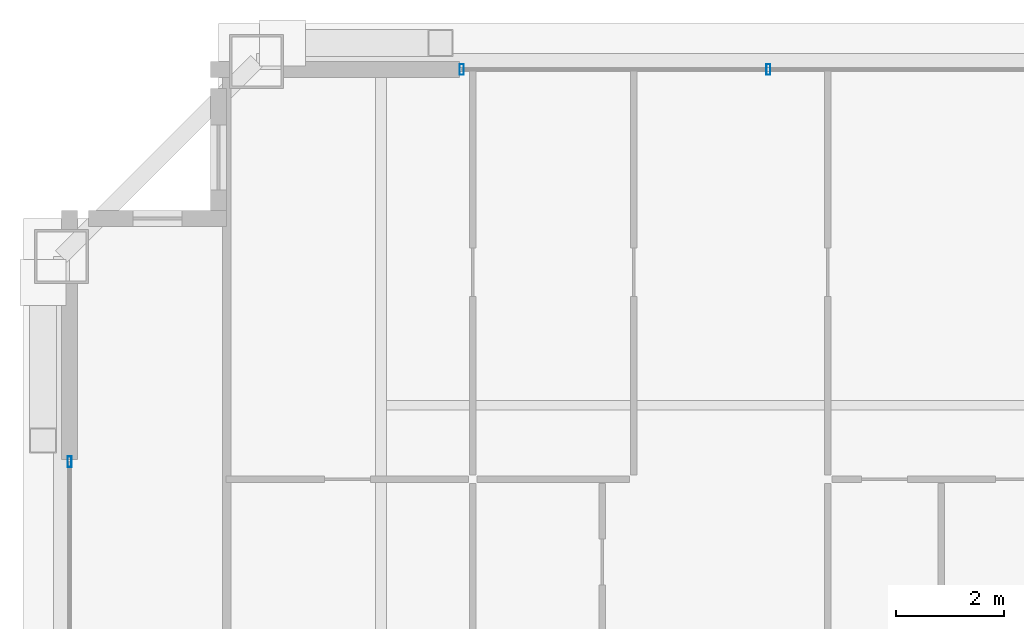
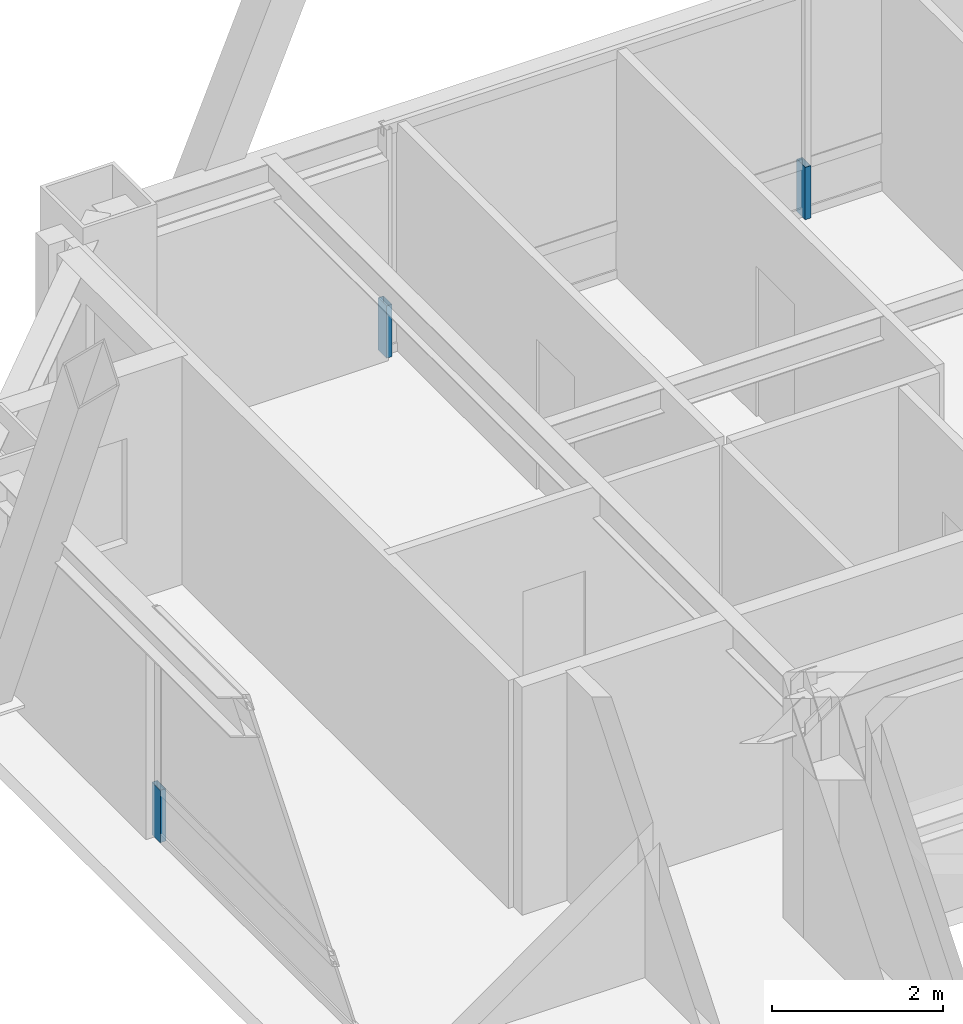
# One storey, part 26 of 35: 3 members, 2 elements without a shape of their own.
"""IFC4 building model written with IfcOpenShell, lengths in metres."""

import ifcopenshell
import ifcopenshell.guid

model = None  # the IFC model being written
_history = None  # IfcOwnerHistory: only IFC2X3 demands one
_inside = {}  # id of a spatial element -> (the spatial element, [elements in it])
_under = {}  # id of a project, library or spatial element -> (it, [spatial elements below it])
_declared = {}  # id of a project -> (the project, [libraries it declares])
_typed = {}  # id of a type object -> (the type object, [elements of that type])
_made_of = {}  # id of a material, layer set ... -> (it, [elements and type objects made of it])


def new_model(schema):
    """Start an empty IFC model of exactly this schema.

    Asked for "IFC4X3", IfcOpenShell would pick the latest addendum, in which some entities
    have other attributes; the version numbers below select the first issue.
    IFC2X3 requires an IfcOwnerHistory on every rooted entity: one is made here for all.
    """
    global model, _history
    if schema == "IFC4X3":
        model = ifcopenshell.file(schema_version=(4, 3, 0, 0))
    else:
        model = ifcopenshell.file(schema=schema)
    _inside.clear()
    _under.clear()
    _declared.clear()
    _typed.clear()
    _made_of.clear()
    _history = None
    if model.schema == "IFC2X3":
        org = make("IfcOrganization", Name="unknown")
        user = make(
            "IfcPersonAndOrganization",
            ThePerson=make("IfcPerson", FamilyName="unknown"),
            TheOrganization=org,
        )
        app = make(
            "IfcApplication",
            ApplicationDeveloper=org,
            Version="unknown",
            ApplicationFullName="unknown",
            ApplicationIdentifier="unknown",
        )
        _history = make(
            "IfcOwnerHistory",
            OwningUser=user,
            OwningApplication=app,
            ChangeAction="ADDED",
            CreationDate=0,
        )
    return model


def make(cls, **values):
    """One entity of the class cls with the attributes given. An attribute that is None is left unset."""
    return model.create_entity(
        cls, **{name: value for name, value in values.items() if value is not None}
    )


def rooted(cls, **values):
    """An entity with a GlobalId (a new one), such as an element, a storey or a relation."""
    return make(cls, GlobalId=ifcopenshell.guid.new(), OwnerHistory=_history, **values)


def si_unit(unit_type, name, prefix=None):
    """IfcSIUnit, for example si_unit("LENGTHUNIT", "METRE", prefix="MILLI")."""
    return make("IfcSIUnit", UnitType=unit_type, Prefix=prefix, Name=name)


def assignment(units):
    """IfcUnitAssignment: the units of a project."""
    return None if units is None else make("IfcUnitAssignment", Units=units)


def point(xyz):
    """IfcCartesianPoint."""
    return None if xyz is None else make("IfcCartesianPoint", Coordinates=xyz)


def direction(xyz):
    """IfcDirection."""
    return None if xyz is None else make("IfcDirection", DirectionRatios=xyz)


def frame(location, z_axis=None, x_axis=None):
    """IfcAxis2Placement3D, a coordinate frame: its origin and axes. An axis left out is left unset."""
    return make(
        "IfcAxis2Placement3D",
        Location=point(location),
        Axis=direction(z_axis),
        RefDirection=direction(x_axis),
    )


def frame_2d(location, x_axis=None):
    """IfcAxis2Placement2D, a coordinate frame in the plane: its origin and x axis."""
    return make(
        "IfcAxis2Placement2D", Location=point(location), RefDirection=direction(x_axis)
    )


def origin():
    """The frame at (0, 0, 0) with its axes left unset."""
    return frame((0.0, 0.0, 0.0))


def origin_2d():
    """The frame at (0, 0) in the plane with its x axis left unset."""
    return frame_2d((0.0, 0.0))


def place(relative_to, where):
    """IfcLocalPlacement: puts the frame where relative to a parent placement (None: the world)."""
    return make(
        "IfcLocalPlacement", PlacementRelTo=relative_to, RelativePlacement=where
    )


def context(
    kind, dimensions, precision=None, world=None, true_north=None, identifier=None
):
    """IfcGeometricRepresentationContext, for example the 3D "Model" context."""
    return make(
        "IfcGeometricRepresentationContext",
        ContextIdentifier=identifier,
        ContextType=kind,
        CoordinateSpaceDimension=dimensions,
        Precision=precision,
        WorldCoordinateSystem=world,
        TrueNorth=true_north,
    )


def subcontext(parent, identifier, kind, view, scale=None):
    """IfcGeometricRepresentationSubContext, for example "Body" below "Model"."""
    return make(
        "IfcGeometricRepresentationSubContext",
        ContextIdentifier=identifier,
        ContextType=kind,
        ParentContext=parent,
        TargetScale=scale,
        TargetView=view,
    )


def project(units=None, contexts=None):
    """IfcProject with its units and contexts."""
    return rooted(
        "IfcProject",
        Name="project",
        RepresentationContexts=contexts,
        UnitsInContext=assignment(units),
    )


def spatial(cls, under=None, at=None, **own):
    """A site, building, storey or space (cls), placed at a placement, below another one or the project."""
    s = rooted(cls, ObjectPlacement=at, **own)
    if under is not None:
        _under.setdefault(under.id(), (under, []))[1].append(s)
    return s


def profile(cls, at=None, kind="AREA", **sizes):
    """A parametric profile (cls). Its sizes go by their IFC names, for example OverallWidth=200.0."""
    return make(cls, ProfileType=kind, Position=at, **sizes)


def hollow_rectangle(**sizes):
    """IfcRectangleHollowProfileDef."""
    return profile("IfcRectangleHollowProfileDef", **sizes)


def extrude(swept, where, along, depth):
    """IfcExtrudedAreaSolid: the profile swept, set in the frame where, extruded along a direction by depth."""
    return make(
        "IfcExtrudedAreaSolid",
        SweptArea=swept,
        Position=where,
        ExtrudedDirection=direction(along),
        Depth=depth,
    )


def shape(context_of_items, identifier, shape_type, items):
    """IfcShapeRepresentation: the items that make up one representation, for example the "Body"."""
    return make(
        "IfcShapeRepresentation",
        ContextOfItems=context_of_items,
        RepresentationIdentifier=identifier,
        RepresentationType=shape_type,
        Items=items,
    )


def source(mapping_origin, context_of_items, identifier, shape_type, items):
    """IfcRepresentationMap: a shape defined once, which mapped items show again and again."""
    return make(
        "IfcRepresentationMap",
        MappingOrigin=mapping_origin,
        MappedRepresentation=shape(context_of_items, identifier, shape_type, items),
    )


def transform(
    local_origin,
    x_axis=None,
    y_axis=None,
    z_axis=None,
    scale=None,
    scale2=None,
    scale3=None,
    uniform=True,
):
    """IfcCartesianTransformationOperator3D, or its non-uniform kind. x_axis, y_axis, z_axis: its Axis1, 2, 3."""
    if uniform:
        return make(
            "IfcCartesianTransformationOperator3D",
            Axis1=direction(x_axis),
            Axis2=direction(y_axis),
            LocalOrigin=point(local_origin),
            Scale=scale,
            Axis3=direction(z_axis),
        )
    return make(
        "IfcCartesianTransformationOperator3DnonUniform",
        Axis1=direction(x_axis),
        Axis2=direction(y_axis),
        LocalOrigin=point(local_origin),
        Scale=scale,
        Axis3=direction(z_axis),
        Scale2=scale2,
        Scale3=scale3,
    )


def mapped(mapping_source, mapping_target):
    """IfcMappedItem: shows the shape of a source again, moved by a transform."""
    return make(
        "IfcMappedItem", MappingSource=mapping_source, MappingTarget=mapping_target
    )


def material(Name=None, Category=None):
    """IfcMaterial."""
    return make("IfcMaterial", Name=Name, Category=Category)


def layer(
    of_material, thickness, ventilated=None, Name=None, Category=None, Priority=None
):
    """IfcMaterialLayer: one layer of a wall or slab, of a material (None: an air gap)."""
    return make(
        "IfcMaterialLayer",
        Material=of_material,
        LayerThickness=thickness,
        IsVentilated=ventilated,
        Name=Name,
        Category=Category,
        Priority=Priority,
    )


def layer_set(layers, Name=None):
    """IfcMaterialLayerSet."""
    return make("IfcMaterialLayerSet", MaterialLayers=layers, LayerSetName=Name)


def material_profile(
    of_material, cross_section, Name=None, Category=None, Priority=None
):
    """IfcMaterialProfile: a cross section and its material."""
    return make(
        "IfcMaterialProfile",
        Name=Name,
        Material=of_material,
        Profile=cross_section,
        Priority=Priority,
        Category=Category,
    )


def profile_set(profiles, Name=None, composite=None):
    """IfcMaterialProfileSet."""
    return make(
        "IfcMaterialProfileSet",
        Name=Name,
        MaterialProfiles=profiles,
        CompositeProfile=composite,
    )


def made_of(thing, what):
    """Note that an element or type object is made of a material, layer set ...; save() writes the relation."""
    if what is not None:
        _made_of.setdefault(what.id(), (what, []))[1].append(thing)
    return thing


def type_object(cls, material=None, **own):
    """A type object (cls), such as IfcWallType, which elements share."""
    return made_of(rooted(cls, **own), material)


def element(
    cls,
    number,
    at=None,
    inside=None,
    cuts=None,
    type_object=None,
    material=None,
    context=None,
    identifier="Body",
    shape_type=None,
    held_by="IfcProductDefinitionShape",
    body=None,
    shapes=None,
    **own,
):
    """One element of the class cls, such as IfcWall. Its Tag is "e" and its number.

    at: its placement. inside: the storey or other place that contains it. cuts: it is an
    opening in that element (IfcRelVoidsElement). A single representation is given by context,
    identifier, shape_type and body (its items); several are given by shapes. held_by: the class
    of the entity that holds the representations. save() writes the other relations.
    """
    e = rooted(cls, Tag="e%d" % number, ObjectPlacement=at, **own)
    if body is not None:
        shapes = [shape(context, identifier, shape_type, body)]
    if shapes is not None:
        e.Representation = make(held_by, Representations=shapes)
    if inside is not None:
        _inside.setdefault(inside.id(), (inside, []))[1].append(e)
    if cuts is not None:
        rooted(
            "IfcRelVoidsElement", RelatingBuildingElement=cuts, RelatedOpeningElement=e
        )
    if type_object is not None:
        _typed.setdefault(type_object.id(), (type_object, []))[1].append(e)
    return made_of(e, material)


def aggregate(whole, parts):
    """IfcRelAggregates: a whole, such as a stair, and the parts it consists of."""
    return rooted("IfcRelAggregates", RelatingObject=whole, RelatedObjects=parts)


def save(model, path):
    """Write the relations noted so far, then the file.

    IfcRelAggregates (storeys below a building ...), IfcRelContainedInSpatialStructure (elements
    in a storey), IfcRelDefinesByType, IfcRelAssociatesMaterial and IfcRelDeclares: one each for
    every whole, place, type object, material and project.
    """
    for whole, parts in _under.values():
        aggregate(whole, parts)
    for where, things in _inside.values():
        rooted(
            "IfcRelContainedInSpatialStructure",
            RelatedElements=things,
            RelatingStructure=where,
        )
    for kind, things in _typed.values():
        rooted("IfcRelDefinesByType", RelatedObjects=things, RelatingType=kind)
    for what, things in _made_of.values():
        rooted("IfcRelAssociatesMaterial", RelatedObjects=things, RelatingMaterial=what)
    for by, libraries in _declared.values():
        rooted("IfcRelDeclares", RelatingContext=by, RelatedDefinitions=libraries)
    model.write(path)


model = new_model("IFC4")

# Units and contexts
model_context = context("Model", 3, precision=1e-05, world=origin(), true_north=direction((0.0, 1.0)))
body_context = subcontext(model_context, "Body", "Model", "MODEL_VIEW")
ifc_project = project(units=[si_unit("LENGTHUNIT", "METRE"), si_unit("AREAUNIT", "SQUARE_METRE"), si_unit("VOLUMEUNIT", "CUBIC_METRE"), si_unit("PLANEANGLEUNIT", "RADIAN"), si_unit("MASSUNIT", "GRAM", prefix="KILO"), si_unit("THERMODYNAMICTEMPERATUREUNIT", "KELVIN"), si_unit("POWERUNIT", "WATT")], contexts=[model_context])

# Site, building, storey
site_placement = place(None, origin())
site = spatial("IfcSite", under=ifc_project, at=site_placement, CompositionType="ELEMENT")
building_placement = place(site_placement, origin())
building = spatial("IfcBuilding", under=site, at=building_placement, Name="Yuzanri Waterfront Tower", CompositionType="ELEMENT")
storey_placement = place(building_placement, frame((0.0, 0.0, 335.699951171875)))
storey = spatial("IfcBuildingStorey", under=building, at=storey_placement, Name="L90", CompositionType="ELEMENT", Elevation=335.699951171875)

# Curtain wall, members
ifc_material_1 = material(Name="Anodized Architectural Bronze", Category="metal")
ifc_layer = layer(ifc_material_1, 0.159912109375)
ifc_layer_set = layer_set([ifc_layer], Name="Anodized Architectural Bronze")
curtain_wall_type = type_object("IfcCurtainWallType", Name="Anodized Bronze High-Rise Penthouse High-Wind Unitized Curtain Wall 6900", PredefinedType="NOTDEFINED", material=ifc_layer_set)
curtain_wall_1_placement = place(storey_placement, origin())
curtain_wall_1 = element("IfcCurtainWall", 1, at=curtain_wall_1_placement, inside=storey, type_object=curtain_wall_type, Name="L90 Curtain Wall CW-L90-NL", PredefinedType="NOTDEFINED")
ifc_material_2 = material(Name="Anodized Architectural Bronze", Category="metal")
ifc_material_profile = material_profile(ifc_material_2, hollow_rectangle(XDim=0.074951171875, YDim=0.199951171875, WallThickness=0.00390625, at=origin_2d()), Name="CWM 75x200")
ifc_profile_set = profile_set([ifc_material_profile], Name="Anodized Architectural Bronze")
member_type = type_object("IfcMemberType", Name="Anodized Bronze Primary Curtain-Wall Mullion 75x200", PredefinedType="MULLION", material=ifc_profile_set)
shared_shape = source(origin(), body_context, "Body", "SweptSolid", [
    extrude(hollow_rectangle(XDim=0.074951171875, YDim=0.199951171875, WallThickness=0.00390625, at=origin_2d()), origin(), (0.0, 0.0, 1.0), 0.748046875),
])
member_1_placement = place(storey_placement, frame((25.2900390625, 44.75, 0.0), z_axis=(0.0, 0.0, 1.0), x_axis=(1.0, 0.0, 0.0)))
member_1 = element("IfcMember", 2, at=member_1_placement, type_object=member_type, Name="CW-L90-NL Lower Mullion 00", PredefinedType="MULLION", context=body_context, shape_type="MappedRepresentation", body=[
    mapped(shared_shape, transform((0.0, 0.0, 0.0), scale=1.0)),
])
member_2_placement = place(storey_placement, frame((30.949951171875, 44.75, 0.0), z_axis=(0.0, 0.0, 1.0), x_axis=(1.0, 0.0, 0.0)))
member_2 = element("IfcMember", 3, at=member_2_placement, type_object=member_type, Name="CW-L90-NL Lower Mullion 01", PredefinedType="MULLION", context=body_context, shape_type="MappedRepresentation", body=[
    mapped(shared_shape, transform((0.0, 0.0, 0.0), scale=1.0)),
])
aggregate(curtain_wall_1, [member_1, member_2])

# Curtain wall, member
curtain_wall_2_placement = place(storey_placement, origin())
curtain_wall_2 = element("IfcCurtainWall", 4, at=curtain_wall_2_placement, inside=storey, type_object=curtain_wall_type, Name="L90 Curtain Wall CW-L90-WR", PredefinedType="NOTDEFINED")
member_3_placement = place(storey_placement, frame((18.050048828125, 37.510009765625, 0.0), z_axis=(0.0, 0.0, 1.0), x_axis=(1.0, 0.0, 0.0)))
member_3 = element("IfcMember", 5, at=member_3_placement, type_object=member_type, Name="CW-L90-WR Lower Mullion 02", PredefinedType="MULLION", context=body_context, shape_type="MappedRepresentation", body=[
    mapped(shared_shape, transform((0.0, 0.0, 0.0), scale=1.0)),
])
aggregate(curtain_wall_2, [member_3])

save(model, "model.ifc")
